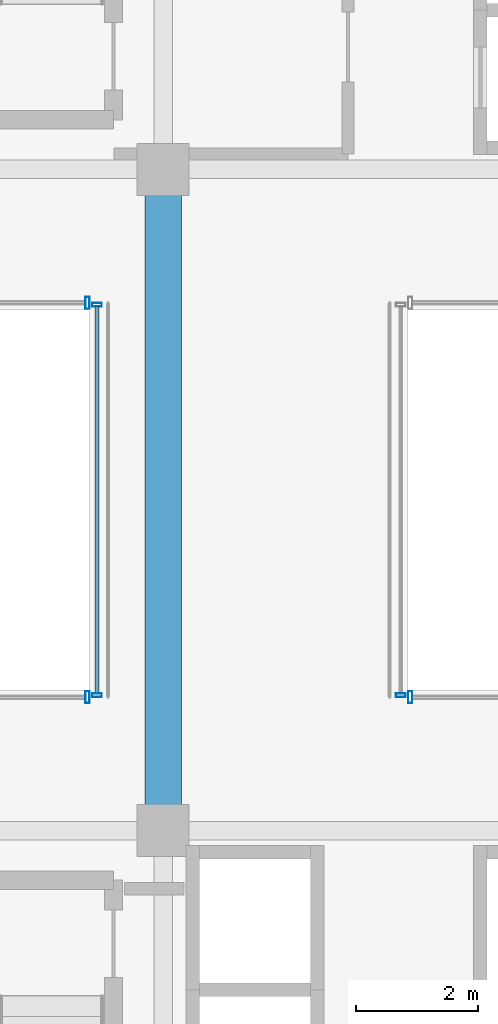
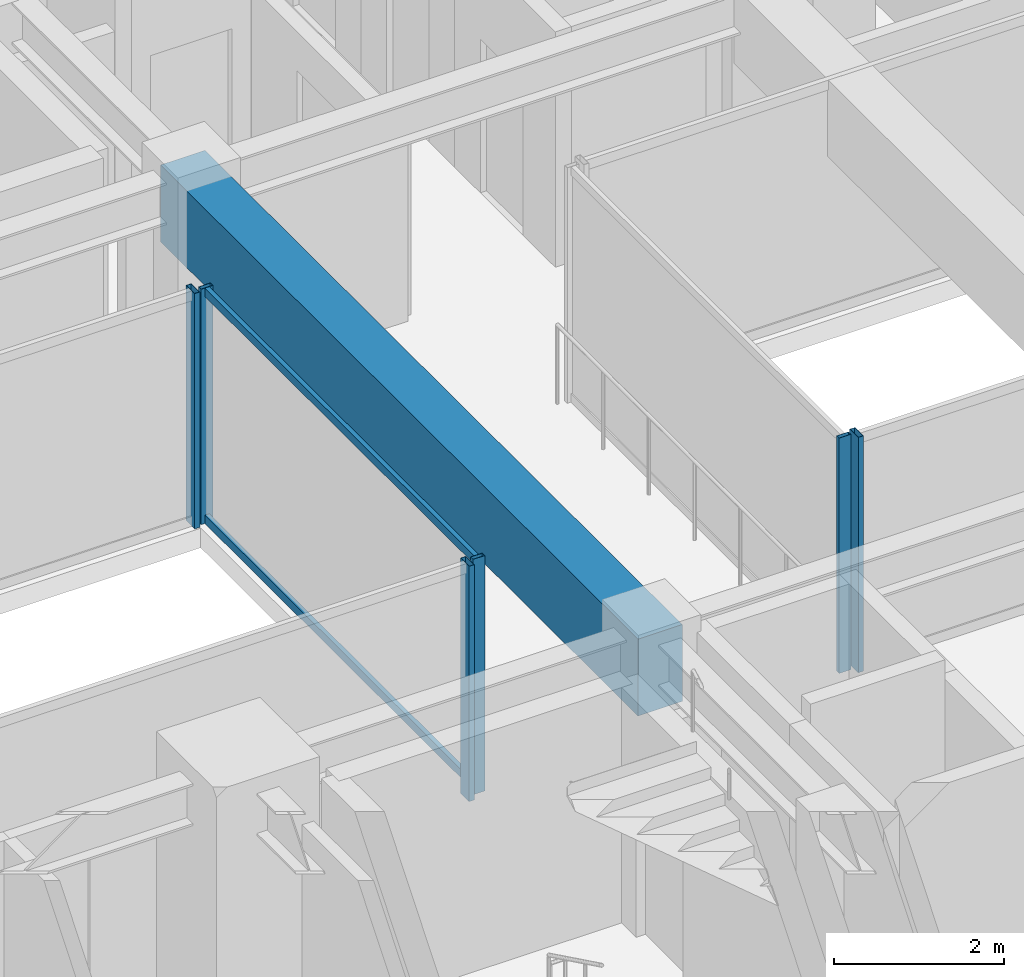
# One storey, part 16 of 37: 8 members, 1 beam, 5 elements without a shape of their own.
"""IFC4 building model written with IfcOpenShell, lengths in metres."""

from ifc_helpers import new_model, si_unit, direction, frame, origin, origin_2d, place, context, subcontext, project, spatial, rectangle, hollow_rectangle, extrude, source, transform, mapped, material, material_profile, profile_set, type_object, element, aggregate, save


model = new_model("IFC4")

# Units and contexts
model_context = context("Model", 3, precision=1e-05, world=origin(), true_north=direction((0.0, 1.0)))
body_context = subcontext(model_context, "Body", "Model", "MODEL_VIEW")
ifc_project = project(units=[si_unit("LENGTHUNIT", "METRE"), si_unit("AREAUNIT", "SQUARE_METRE"), si_unit("VOLUMEUNIT", "CUBIC_METRE"), si_unit("PLANEANGLEUNIT", "RADIAN"), si_unit("MASSUNIT", "GRAM", prefix="KILO")], contexts=[model_context])

# Site, building, storey
site_placement = place(None, origin())
site = spatial("IfcSite", under=ifc_project, at=site_placement, CompositionType="ELEMENT")
building_placement = place(site_placement, origin())
building = spatial("IfcBuilding", under=site, at=building_placement, Name="Nahalor Promenade Grand Hotel", CompositionType="ELEMENT")
storey_placement = place(building_placement, frame((0.0, 0.0, 65.25)))
storey = spatial("IfcBuildingStorey", under=building, at=storey_placement, Name="L15", CompositionType="ELEMENT", Elevation=65.25)

# Beam
ifc_material_1 = material(Name="Concrete B-60 (C50/60)", Category="concrete")
ifc_material_profile_1 = material_profile(ifc_material_1, rectangle(XDim=0.6, YDim=1.1, at=origin_2d()), Name="RC 600x1100")
ifc_profile_set_1 = profile_set([ifc_material_profile_1], Name="Concrete B-60 (C50/60)")
beam_type = type_object("IfcBeamType", Name="Beam-Lintel-RC1100", PredefinedType="LINTEL", material=ifc_profile_set_1)
shared_shape_1 = source(origin(), body_context, "Body", "SweptSolid", [
    extrude(rectangle(XDim=0.6, YDim=1.1, at=origin_2d()), origin(), (0.0, 0.0, 1.0), 11.2001953125),
])
beam_placement = place(storey_placement, frame((8.39990234375, -5.60009765625, 2.820068359375), z_axis=(0.0, 1.0, 0.0), x_axis=(-1.0, 0.0, 0.0)))
element("IfcBeam", 1, at=beam_placement, inside=storey, type_object=beam_type, Name="BM-L15-LINT-W", PredefinedType="LINTEL", context=body_context, shape_type="MappedRepresentation", body=[
    mapped(shared_shape_1, transform((0.0, 0.0, 0.0), scale=1.0)),
])

# Curtain wall, member
ifc_material_2 = material(Name="Anodised Bronze Aluminium EN AW-6063 T6", Category="aluminium")
curtain_wall_type_1 = type_object("IfcCurtainWallType", Name="CW3 Elliptical-Void Collar Unitised Curtain Wall", PredefinedType="USERDEFINED", material=ifc_material_2)
curtain_wall_1_placement = place(storey_placement, origin())
curtain_wall_1 = element("IfcCurtainWall", 2, at=curtain_wall_1_placement, inside=storey, type_object=curtain_wall_type_1, Name="L15 Curtain Wall CW-L15-VOID-WS1", ObjectType="UNITISED_CURTAIN_WALL", PredefinedType="USERDEFINED")
ifc_material_profile_2 = material_profile(ifc_material_2, hollow_rectangle(XDim=0.07, YDim=0.2, WallThickness=0.005, at=origin_2d()), Name="CWM 70x200x5")
ifc_profile_set_2 = profile_set([ifc_material_profile_2], Name="Anodised Bronze Aluminium EN AW-6063 T6")
member_type_1 = type_object("IfcMemberType", Name="CWM3 Void Collar Mullion 70x200", PredefinedType="MULLION", material=ifc_profile_set_2)
shared_shape_2 = source(origin(), body_context, "Body", "SweptSolid", [
    extrude(hollow_rectangle(XDim=0.07, YDim=0.2, WallThickness=0.005, at=origin_2d()), origin(), (0.0, 0.0, 1.0), 3.3701171875),
])
member_1_placement = place(storey_placement, frame((7.1650390625, -3.219970703125, 0.0), z_axis=(0.0, 0.0, 1.0), x_axis=(1.0, 0.0, 0.0)))
member_1 = element("IfcMember", 3, at=member_1_placement, type_object=member_type_1, Name="CW-L15-VOID-WS1 Mullion 3", PredefinedType="MULLION", context=body_context, shape_type="MappedRepresentation", body=[
    mapped(shared_shape_2, transform((0.0, 0.0, 0.0), scale=1.0)),
])
aggregate(curtain_wall_1, [member_1])

curtain_wall_2_placement = place(storey_placement, origin())
curtain_wall_2 = element("IfcCurtainWall", 4, at=curtain_wall_2_placement, inside=storey, type_object=curtain_wall_type_1, Name="L15 Curtain Wall CW-L15-VOID-WN1", ObjectType="UNITISED_CURTAIN_WALL", PredefinedType="USERDEFINED")
member_2_placement = place(storey_placement, frame((7.1650390625, 3.219970703125, 0.0), z_axis=(0.0, 0.0, 1.0), x_axis=(1.0, 0.0, 0.0)))
member_2 = element("IfcMember", 5, at=member_2_placement, type_object=member_type_1, Name="CW-L15-VOID-WN1 Mullion 3", PredefinedType="MULLION", context=body_context, shape_type="MappedRepresentation", body=[
    mapped(shared_shape_2, transform((0.0, 0.0, 0.0), scale=1.0)),
])
aggregate(curtain_wall_2, [member_2])

curtain_wall_3_placement = place(storey_placement, origin())
curtain_wall_3 = element("IfcCurtainWall", 6, at=curtain_wall_3_placement, inside=storey, type_object=curtain_wall_type_1, Name="L15 Curtain Wall CW-L15-VOID-ES1", ObjectType="UNITISED_CURTAIN_WALL", PredefinedType="USERDEFINED")
member_3_placement = place(storey_placement, frame((12.43505859375, -3.219970703125, 0.0), z_axis=(0.0, 0.0, 1.0), x_axis=(1.0, 0.0, 0.0)))
member_3 = element("IfcMember", 7, at=member_3_placement, type_object=member_type_1, Name="CW-L15-VOID-ES1 Mullion 0", PredefinedType="MULLION", context=body_context, shape_type="MappedRepresentation", body=[
    mapped(shared_shape_2, transform((0.0, 0.0, 0.0), scale=1.0)),
])
aggregate(curtain_wall_3, [member_3])

# Curtain wall, members
curtain_wall_type_2 = type_object("IfcCurtainWallType", Name="CW4 Low-Iron Sky-Gallery Bridge Curtain Wall", PredefinedType="USERDEFINED", material=ifc_material_2)
curtain_wall_4_placement = place(storey_placement, origin())
curtain_wall_4 = element("IfcCurtainWall", 8, at=curtain_wall_4_placement, inside=storey, type_object=curtain_wall_type_2, Name="L15 Curtain Wall CW-L15-BRG-W", ObjectType="UNITISED_CURTAIN_WALL", PredefinedType="USERDEFINED")
ifc_material_profile_3 = material_profile(ifc_material_2, hollow_rectangle(XDim=0.06, YDim=0.16, WallThickness=0.004, at=origin_2d()), Name="CWM 60x160x4")
ifc_profile_set_3 = profile_set([ifc_material_profile_3], Name="Anodised Bronze Aluminium EN AW-6063 T6")
member_type_2 = type_object("IfcMemberType", Name="CWM4 Sky-Gallery Slim Mullion 60x160", PredefinedType="MULLION", material=ifc_profile_set_3)
shared_shape_3 = source(origin(), body_context, "Body", "SweptSolid", [
    extrude(hollow_rectangle(XDim=0.06, YDim=0.16, WallThickness=0.004, at=origin_2d()), origin(), (0.0, 0.0, 1.0), 3.3701171875),
])
member_4_placement = place(storey_placement, frame((7.320068359375, -3.18994140625, 0.0), z_axis=(0.0, 0.0, 1.0), x_axis=(0.0, 1.0, 0.0)))
member_4 = element("IfcMember", 9, at=member_4_placement, type_object=member_type_2, Name="CW-L15-BRG-W Mullion 0", PredefinedType="MULLION", context=body_context, shape_type="MappedRepresentation", body=[
    mapped(shared_shape_3, transform((0.0, 0.0, 0.0), scale=1.0)),
])
member_5_placement = place(storey_placement, frame((7.320068359375, 3.18994140625, 0.0), z_axis=(0.0, 0.0, 1.0), x_axis=(0.0, 1.0, 0.0)))
member_5 = element("IfcMember", 10, at=member_5_placement, type_object=member_type_2, Name="CW-L15-BRG-W Mullion 1", PredefinedType="MULLION", context=body_context, shape_type="MappedRepresentation", body=[
    mapped(shared_shape_3, transform((0.0, 0.0, 0.0), scale=1.0)),
])

# Curtain wall, member
curtain_wall_5_placement = place(storey_placement, origin())
curtain_wall_5 = element("IfcCurtainWall", 11, at=curtain_wall_5_placement, inside=storey, type_object=curtain_wall_type_2, Name="L15 Curtain Wall CW-L15-BRG-E", ObjectType="UNITISED_CURTAIN_WALL", PredefinedType="USERDEFINED")
member_6_placement = place(storey_placement, frame((12.280029296875, -3.18994140625, 0.0), z_axis=(0.0, 0.0, 1.0), x_axis=(0.0, 1.0, 0.0)))
member_6 = element("IfcMember", 12, at=member_6_placement, type_object=member_type_2, Name="CW-L15-BRG-E Mullion 0", PredefinedType="MULLION", context=body_context, shape_type="MappedRepresentation", body=[
    mapped(shared_shape_3, transform((0.0, 0.0, 0.0), scale=1.0)),
])
aggregate(curtain_wall_5, [member_6])

# Member
ifc_material_profile_4 = material_profile(ifc_material_2, hollow_rectangle(XDim=0.06, YDim=0.12, WallThickness=0.004, at=origin_2d()), Name="CWT 60x120x4")
ifc_profile_set_4 = profile_set([ifc_material_profile_4], Name="Anodised Bronze Aluminium EN AW-6063 T6")
member_type_3 = type_object("IfcMemberType", Name="CWT4 Sky-Gallery Slim Transom 60x120", PredefinedType="USERDEFINED", material=ifc_profile_set_4)
shared_shape_4 = source(origin(), body_context, "Body", "SweptSolid", [
    extrude(hollow_rectangle(XDim=0.06, YDim=0.12, WallThickness=0.004, at=origin_2d()), origin(), (0.0, 0.0, 1.0), 6.31982421875),
])
member_7_placement = place(storey_placement, frame((7.320068359375, -3.159912109375, 0.06005859375), z_axis=(0.0, 1.0, 0.0), x_axis=(-1.0, 0.0, 0.0)))
member_7 = element("IfcMember", 13, at=member_7_placement, type_object=member_type_3, Name="CW-L15-BRG-W Transom 0-0", ObjectType="TRANSOM", PredefinedType="USERDEFINED", context=body_context, shape_type="MappedRepresentation", body=[
    mapped(shared_shape_4, transform((0.0, 0.0, 0.0), scale=1.0)),
])

member_8_placement = place(storey_placement, frame((7.320068359375, -3.159912109375, 3.31005859375), z_axis=(0.0, 1.0, 0.0), x_axis=(-1.0, 0.0, 0.0)))
member_8 = element("IfcMember", 14, at=member_8_placement, type_object=member_type_3, Name="CW-L15-BRG-W Transom 0-1", ObjectType="TRANSOM", PredefinedType="USERDEFINED", context=body_context, shape_type="MappedRepresentation", body=[
    mapped(shared_shape_4, transform((0.0, 0.0, 0.0), scale=1.0)),
])

aggregate(curtain_wall_4, [member_4, member_5, member_7, member_8])

save(model, "model.ifc")
